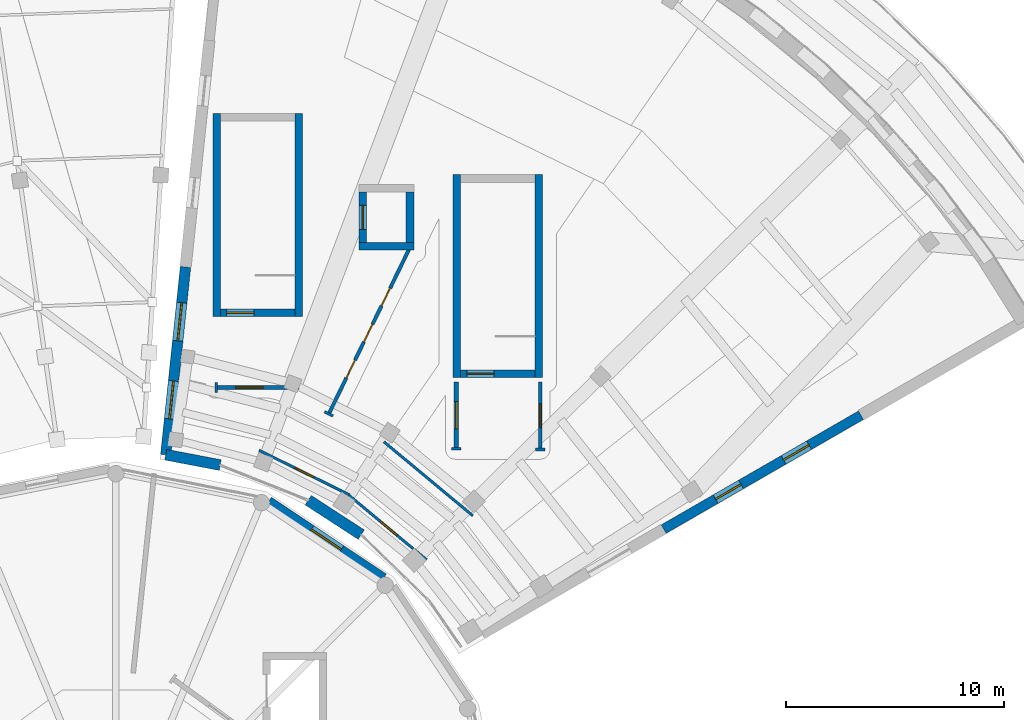
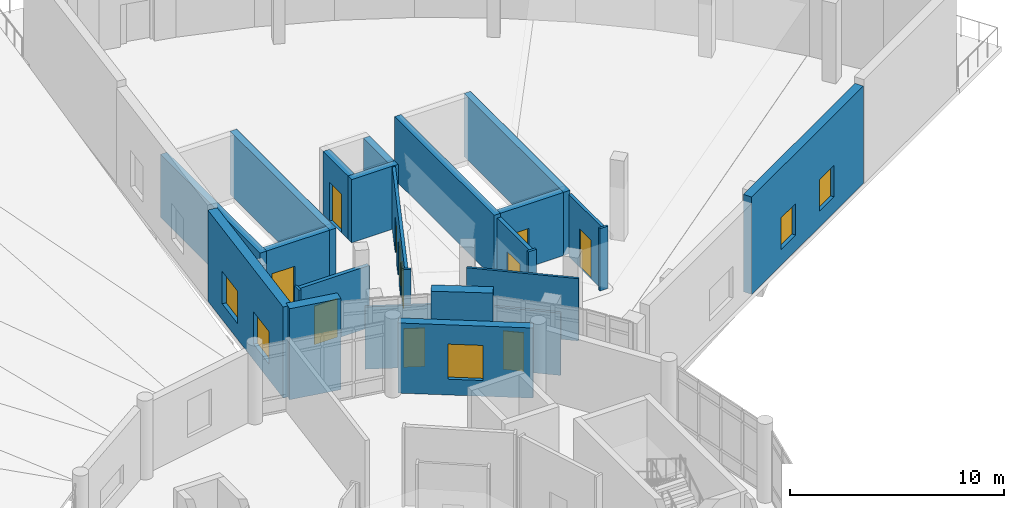
# One storey, part 23 of 27: 25 walls, 11 doors, 5 windows, 16 openings.
"""IFC4 building model written with IfcOpenShell, lengths in metres."""

from ifc_helpers import new_model, si_unit, direction, frame, frame_2d, origin, place, context, subcontext, project, spatial, rectangle, extrude, material, layer, layer_set, type_object, element, fill, save


model = new_model("IFC4")

# Units and contexts
model_context = context("Model", 3, precision=1e-05, world=origin(), true_north=direction((0.0, 1.0)))
body_context = subcontext(model_context, "Body", "Model", "MODEL_VIEW")
ifc_project = project(units=[si_unit("LENGTHUNIT", "METRE"), si_unit("AREAUNIT", "SQUARE_METRE"), si_unit("VOLUMEUNIT", "CUBIC_METRE"), si_unit("PLANEANGLEUNIT", "RADIAN"), si_unit("MASSUNIT", "GRAM", prefix="KILO")], contexts=[model_context])

# Site, building, storey
site_placement = place(None, origin())
site = spatial("IfcSite", under=ifc_project, at=site_placement, CompositionType="ELEMENT")
building_placement = place(site_placement, origin())
building = spatial("IfcBuilding", under=site, at=building_placement, Name="Soyqirgoq Riverine Aquarium", CompositionType="ELEMENT")
storey_placement = place(building_placement, frame((0.0, 0.0, 19.800048828125)))
storey = spatial("IfcBuildingStorey", under=building, at=storey_placement, Name="L05", CompositionType="ELEMENT", Elevation=19.800048828125)

# Walls
ifc_material_1 = material(Name="Concrete C40/50", Category="concrete")
ifc_layer_1 = layer(ifc_material_1, 0.35009765625)
ifc_layer_set_1 = layer_set([ifc_layer_1], Name="Concrete C40/50")
wall_type_1 = type_object("IfcWallType", Name="CoreShearWall_350_C40", PredefinedType="SHEAR", material=ifc_layer_set_1)
for number, where, z_axis, x_axis, name in (
    (1, (64.375, 81.64990234375, 0.0), (0.0, 0.0, 1.0), (0.0, 1.0, 0.0), "CORE-5A L05 Stair Core Shear Wall SIDE1"),
    (2, (60.625, 90.949951171875, 0.0), (0.0, 0.0, 1.0), (0.0, -1.0, 0.0), "CORE-5A L05 Stair Core Shear Wall SIDE2"),
):
    element("IfcWall", number, at=place(storey_placement, frame(where, z_axis=z_axis, x_axis=x_axis)), inside=storey, type_object=wall_type_1, Name=name, PredefinedType="SHEAR", context=body_context, shape_type="SweptSolid", body=[
        extrude(rectangle(XDim=9.300048828125, YDim=0.35009765625, at=frame_2d((4.64990234375, 0.0))), origin(), (0.0, 0.0, 1.0), 3.599853515625),
    ])

# Wall, opening, door
wall_1_placement = place(storey_placement, frame((60.800048828125, 81.824951171875, 0.0), z_axis=(0.0, 0.0, 1.0), x_axis=(1.0, 0.0, 0.0)))
wall_1 = element("IfcWall", 3, at=wall_1_placement, inside=storey, type_object=wall_type_1, Name="CORE-5A L05 Stair Core Shear Wall FRONT", PredefinedType="SHEAR", context=body_context, shape_type="SweptSolid", body=[
    extrude(rectangle(XDim=3.39990234375, YDim=0.35009765625, at=frame_2d((1.699951171875, 0.0))), origin(), (0.0, 0.0, 1.0), 3.599853515625),
])
opening_1_placement = place(wall_1_placement, frame((0.280029296875, 0.0, 0.0)))
opening_1 = element("IfcOpeningElement", 4, at=opening_1_placement, cuts=wall_1, Name="Opening FD-01", PredefinedType="OPENING", context=body_context, shape_type="SweptSolid", body=[
    extrude(rectangle(XDim=1.25, YDim=2.199951171875, at=frame_2d((0.625, 1.10009765625))), frame((0.0, 0.18505859375, 0.0), z_axis=(0.0, -1.0, 0.0), x_axis=(1.0, 0.0, 0.0)), (0.0, 0.0, 1.0), 0.3701171875),
])
ifc_material_2 = material(Name="Galvanised steel fire-resisting stair door", Category="steel")
door_type_1 = type_object("IfcDoorType", Name="StairFireDoor_1250x2200_EI90", OperationType="NOTDEFINED", PredefinedType="DOOR", material=ifc_material_2)
door_1_placement = place(opening_1_placement, origin())
door_1 = element("IfcDoor", 5, at=door_1_placement, inside=storey, type_object=door_type_1, Name="DR-ST-5-L05 ST-5 L05 Fire-Rated Stairwell Door", OperationType="SINGLE_SWING_RIGHT", OverallHeight=2.199951171875, OverallWidth=1.25, PredefinedType="DOOR", context=body_context, shape_type="SweptSolid", body=[
    extrude(rectangle(XDim=1.25, YDim=2.199951171875, at=frame_2d((0.625, 1.10009765625))), frame((0.0, 0.02490234375, 0.0), z_axis=(0.0, -1.0, 0.0), x_axis=(1.0, 0.0, 0.0)), (0.0, 0.0, 1.0), 0.050048828125),
])
fill(opening_1, door_1)

# Walls
wall_2_placement = place(storey_placement, frame((67.14501953125, 84.8701171875, 0.0), z_axis=(0.0, 0.0, 1.0), x_axis=(1.0, 0.0, 0.0)))
element("IfcWall", 6, at=wall_2_placement, inside=storey, type_object=wall_type_1, Name="Lift PL-5 Shaft Wall L05 1", PredefinedType="SHEAR", context=body_context, shape_type="SweptSolid", body=[
    extrude(rectangle(XDim=2.510009765625, YDim=0.35009765625, at=frame_2d((1.2548828125, 0.0))), origin(), (0.0, 0.0, 1.0), 3.599853515625),
])
wall_3_placement = place(storey_placement, frame((69.47998046875, 85.044921875, 0.0), z_axis=(0.0, 0.0, 1.0), x_axis=(0.0, 1.0, 0.0)))
element("IfcWall", 7, at=wall_3_placement, inside=storey, type_object=wall_type_1, Name="Lift PL-5 Shaft Wall L05 2", PredefinedType="SHEAR", context=body_context, shape_type="SweptSolid", body=[
    extrude(rectangle(XDim=2.31005859375, YDim=0.35009765625, at=frame_2d((1.155029296875, 0.0))), origin(), (0.0, 0.0, 1.0), 3.599853515625),
])

# Wall, opening, door
wall_4_placement = place(storey_placement, frame((67.320068359375, 87.35498046875, 0.0), z_axis=(0.0, 0.0, 1.0), x_axis=(0.0, -1.0, 0.0)))
wall_4 = element("IfcWall", 8, at=wall_4_placement, inside=storey, type_object=wall_type_1, Name="Lift PL-5 Shaft Wall L05 4", PredefinedType="SHEAR", context=body_context, shape_type="SweptSolid", body=[
    extrude(rectangle(XDim=2.31005859375, YDim=0.35009765625, at=frame_2d((1.155029296875, 0.0))), origin(), (0.0, 0.0, 1.0), 3.599853515625),
])
opening_2_placement = place(wall_4_placement, frame((0.60498046875, 0.0, 0.0)))
opening_2 = element("IfcOpeningElement", 9, at=opening_2_placement, cuts=wall_4, Name="Opening LD-01", PredefinedType="OPENING", context=body_context, shape_type="SweptSolid", body=[
    extrude(rectangle(XDim=1.10009765625, YDim=2.199951171875, at=frame_2d((0.550048828125, 1.10009765625))), frame((0.0, 0.18505859375, 0.0), z_axis=(0.0, -1.0, 0.0), x_axis=(1.0, 0.0, 0.0)), (0.0, 0.0, 1.0), 0.3701171875),
])
ifc_material_3 = material(Name="Brushed stainless steel telescopic lift landing door", Category="steel")
door_type_2 = type_object("IfcDoorType", Name="LiftLandingDoor_1100x2200", OperationType="SLIDING_TO_LEFT", PredefinedType="DOOR", material=ifc_material_3)
door_2_placement = place(opening_2_placement, origin())
door_2 = element("IfcDoor", 10, at=door_2_placement, inside=storey, type_object=door_type_2, Name="LD-PL-5-L05 Lift PL-5 L05 Sliding Landing Door", OperationType="SLIDING_TO_LEFT", OverallHeight=2.199951171875, OverallWidth=1.10009765625, PredefinedType="DOOR", context=body_context, shape_type="SweptSolid", body=[
    extrude(rectangle(XDim=1.10009765625, YDim=2.199951171875, at=frame_2d((0.550048828125, 1.10009765625))), frame((0.0, 0.02490234375, 0.0), z_axis=(0.0, -1.0, 0.0), x_axis=(1.0, 0.0, 0.0)), (0.0, 0.0, 1.0), 0.050048828125),
])
fill(opening_2, door_2)

# Walls
for number, where, z_axis, x_axis, name in (
    (11, (75.375, 78.85009765625, 0.0), (0.0, 0.0, 1.0), (0.0, 1.0, 0.0), "CORE-5B L05 Stair Core Shear Wall SIDE1"),
    (12, (71.625, 88.14990234375, 0.0), (0.0, 0.0, 1.0), (0.0, -1.0, 0.0), "CORE-5B L05 Stair Core Shear Wall SIDE2"),
):
    element("IfcWall", number, at=place(storey_placement, frame(where, z_axis=z_axis, x_axis=x_axis)), inside=storey, type_object=wall_type_1, Name=name, PredefinedType="SHEAR", context=body_context, shape_type="SweptSolid", body=[
        extrude(rectangle(XDim=9.2998046875, YDim=0.35009765625, at=frame_2d((4.64990234375, 0.0))), origin(), (0.0, 0.0, 1.0), 3.599853515625),
    ])

# Wall, opening, door
wall_5_placement = place(storey_placement, frame((71.800048828125, 79.02490234375, 0.0), z_axis=(0.0, 0.0, 1.0), x_axis=(1.0, 0.0, 0.0)))
wall_5 = element("IfcWall", 13, at=wall_5_placement, inside=storey, type_object=wall_type_1, Name="CORE-5B L05 Stair Core Shear Wall FRONT", PredefinedType="SHEAR", context=body_context, shape_type="SweptSolid", body=[
    extrude(rectangle(XDim=3.39990234375, YDim=0.35009765625, at=frame_2d((1.699951171875, 0.0))), origin(), (0.0, 0.0, 1.0), 3.599853515625),
])
opening_3_placement = place(wall_5_placement, frame((0.280029296875, 0.0, 0.0)))
opening_3 = element("IfcOpeningElement", 14, at=opening_3_placement, cuts=wall_5, Name="Opening FD-01", PredefinedType="OPENING", context=body_context, shape_type="SweptSolid", body=[
    extrude(rectangle(XDim=1.25, YDim=2.199951171875, at=frame_2d((0.625, 1.10009765625))), frame((0.0, 0.18505859375, 0.0), z_axis=(0.0, -1.0, 0.0), x_axis=(1.0, 0.0, 0.0)), (0.0, 0.0, 1.0), 0.3701171875),
])
door_3_placement = place(opening_3_placement, origin())
door_3 = element("IfcDoor", 15, at=door_3_placement, inside=storey, type_object=door_type_1, Name="DR-ST-6-L05 ST-6 L05 Fire-Rated Stairwell Door", OperationType="SINGLE_SWING_RIGHT", OverallHeight=2.199951171875, OverallWidth=1.25, PredefinedType="DOOR", context=body_context, shape_type="SweptSolid", body=[
    extrude(rectangle(XDim=1.25, YDim=2.199951171875, at=frame_2d((0.625, 1.10009765625))), frame((0.0, 0.02490234375, 0.0), z_axis=(0.0, -1.0, 0.0), x_axis=(1.0, 0.0, 0.0)), (0.0, 0.0, 1.0), 0.050048828125),
])
fill(opening_3, door_3)

ifc_material_4 = material(Name="Lightweight steel-stud gypsum partition", Category="steel")
ifc_layer_2 = layer(ifc_material_4, 0.1201171875)
ifc_layer_set_2 = layer_set([ifc_layer_2], Name="Lightweight steel-stud gypsum partition")
wall_type_2 = type_object("IfcWallType", Name="PartitionWall_120_Std", PredefinedType="PARTITIONING", material=ifc_layer_set_2)
wall_6_placement = place(storey_placement, frame((62.559326171875, 75.52294921875, 0.0), z_axis=(0.0, 0.0, 1.0), x_axis=(0.896876614616, -0.442280836296, 0.0)))
wall_6 = element("IfcWall", 16, at=wall_6_placement, inside=storey, type_object=wall_type_2, Name="V5 Gallery Circulation Corridor Partition Wall", PredefinedType="PARTITIONING", context=body_context, shape_type="SweptSolid", body=[
    extrude(rectangle(XDim=4.619140625, YDim=0.1201171875, at=frame_2d((2.3095703125, 0.0))), origin(), (0.0, 0.0, 1.0), 3.550048828125),
])
opening_4_placement = place(wall_6_placement, frame((1.8095703125, 0.0, 0.0)))
opening_4 = element("IfcOpeningElement", 17, at=opening_4_placement, cuts=wall_6, Name="Opening ID-03", PredefinedType="OPENING", context=body_context, shape_type="SweptSolid", body=[
    extrude(rectangle(XDim=1.0, YDim=2.199951171875, at=frame_2d((0.5, 1.10009765625))), frame((0.0, 0.070068359375, 0.0), z_axis=(0.0, -1.0, 0.0), x_axis=(1.0, 0.0, 0.0)), (0.0, 0.0, 1.0), 0.14013671875),
])
ifc_material_5 = material(Name="Solid-core ash veneer room door", Category="wood")
door_type_3 = type_object("IfcDoorType", Name="RoomDoor_1000x2200", OperationType="NOTDEFINED", PredefinedType="DOOR", material=ifc_material_5)
door_4_placement = place(opening_4_placement, origin())
door_4 = element("IfcDoor", 18, at=door_4_placement, inside=storey, type_object=door_type_3, Name="IDR-V5-L05-0165 Cryopreservation Biobank Suite Door", OperationType="SINGLE_SWING_LEFT", OverallHeight=2.199951171875, OverallWidth=1.0, PredefinedType="DOOR", context=body_context, shape_type="SweptSolid", body=[
    extrude(rectangle(XDim=1.0, YDim=2.199951171875, at=frame_2d((0.5, 1.10009765625))), frame((0.0, 0.02490234375, 0.0), z_axis=(0.0, -1.0, 0.0), x_axis=(1.0, 0.0, 0.0)), (0.0, 0.0, 1.0), 0.050048828125),
])
fill(opening_4, door_4)

# Wall
wall_7_placement = place(storey_placement, frame((72.357177734375, 72.5224609375, 0.0), z_axis=(0.0, 0.0, 1.0), x_axis=(-0.768847565949, 0.639432107682, 0.0)))
element("IfcWall", 19, at=wall_7_placement, inside=storey, type_object=wall_type_2, Name="V5 Gallery Circulation Corridor Partition Wall", PredefinedType="PARTITIONING", context=body_context, shape_type="SweptSolid", body=[
    extrude(rectangle(XDim=5.301025390625, YDim=0.1201171875, at=frame_2d((2.650390625, 0.0))), origin(), (0.0, 0.0, 1.0), 3.550048828125),
])

# Wall, opening, door
wall_8_placement = place(storey_placement, frame((70.231689453125, 70.50537109375, 0.0), z_axis=(0.0, 0.0, 1.0), x_axis=(-0.768814270134, 0.639472140158, 0.0)))
wall_8 = element("IfcWall", 20, at=wall_8_placement, inside=storey, type_object=wall_type_2, Name="Cryopreservation Biobank Suite Partition Wall", PredefinedType="PARTITIONING", context=body_context, shape_type="SweptSolid", body=[
    extrude(rectangle(XDim=4.620849609375, YDim=0.1201171875, at=frame_2d((2.310546875, 0.0))), origin(), (0.0, 0.0, 1.0), 3.550048828125),
])
opening_5_placement = place(wall_8_placement, frame((1.749267578125, 0.0, 0.0)))
opening_5 = element("IfcOpeningElement", 21, at=opening_5_placement, cuts=wall_8, Name="Opening ID-03", PredefinedType="OPENING", context=body_context, shape_type="SweptSolid", body=[
    extrude(rectangle(XDim=1.0, YDim=2.199951171875, at=frame_2d((0.5, 1.10009765625))), frame((0.0, 0.070068359375, 0.0), z_axis=(0.0, -1.0, 0.0), x_axis=(1.0, 0.0, 0.0)), (0.0, 0.0, 1.0), 0.14013671875),
])
door_5_placement = place(opening_5_placement, origin())
door_5 = element("IfcDoor", 22, at=door_5_placement, inside=storey, type_object=door_type_3, Name="IDR-V5-L05-0166 Cryopreservation Biobank Suite Door", OperationType="SINGLE_SWING_RIGHT", OverallHeight=2.199951171875, OverallWidth=1.0, PredefinedType="DOOR", context=body_context, shape_type="SweptSolid", body=[
    extrude(rectangle(XDim=1.0, YDim=2.199951171875, at=frame_2d((0.5, 1.10009765625))), frame((0.0, 0.02490234375, 0.0), z_axis=(0.0, -1.0, 0.0), x_axis=(1.0, 0.0, 0.0)), (0.0, 0.0, 1.0), 0.050048828125),
])
fill(opening_5, door_5)

# Walls
for number, where, z_axis, x_axis, name in (
    (23, (60.60009765625, 78.179931640625, 0.0), (0.0, 0.0, 1.0), (0.0, 1.0, 0.0), "V5 L05 Jamb Return Pier"),
    (24, (71.3798828125, 75.60009765625, 0.0), (0.0, 0.0, 1.0), (1.0, 0.0, 0.0), "V5 L05 Jamb Return Pier"),
):
    element("IfcWall", number, at=place(storey_placement, frame(where, z_axis=z_axis, x_axis=x_axis)), inside=storey, type_object=wall_type_2, Name=name, PredefinedType="PARTITIONING", context=body_context, shape_type="SweptSolid", body=[
        extrude(rectangle(XDim=0.440185546875, YDim=0.1201171875, at=frame_2d((0.22021484375, 0.0))), origin(), (0.0, 0.0, 1.0), 3.550048828125),
    ])
wall_9_placement = place(storey_placement, frame((65.955810546875, 77.093505859375, 0.0), z_axis=(0.0, 0.0, 1.0), x_axis=(-0.898715089152, 0.438532995942, 0.0)))
element("IfcWall", 25, at=wall_9_placement, inside=storey, type_object=wall_type_2, Name="V5 L05 Jamb Return Pier", PredefinedType="PARTITIONING", context=body_context, shape_type="SweptSolid", body=[
    extrude(rectangle(XDim=0.439697265625, YDim=0.1201171875, at=frame_2d((0.2197265625, 0.0))), origin(), (0.0, 0.0, 1.0), 3.550048828125),
])
wall_10_placement = place(storey_placement, frame((75.219970703125, 75.56005859375, 0.0), z_axis=(0.0, 0.0, 1.0), x_axis=(1.0, 0.0, 0.0)))
element("IfcWall", 26, at=wall_10_placement, inside=storey, type_object=wall_type_2, Name="V5 L05 Jamb Return Pier", PredefinedType="PARTITIONING", context=body_context, shape_type="SweptSolid", body=[
    extrude(rectangle(XDim=0.43994140625, YDim=0.1201171875, at=frame_2d((0.219970703125, 0.0))), origin(), (0.0, 0.0, 1.0), 3.550048828125),
])

# Wall, openings, doors
ifc_material_6 = material(Name="Fire-rated acoustic gypsum stud partition", Category="gypsum")
ifc_layer_3 = layer(ifc_material_6, 0.159912109375)
ifc_layer_set_3 = layer_set([ifc_layer_3], Name="Fire-rated acoustic gypsum stud partition")
wall_type_3 = type_object("IfcWallType", Name="PartitionWall_160_EI60", PredefinedType="PARTITIONING", material=ifc_layer_set_3)
wall_11_placement = place(storey_placement, frame((65.75830078125, 77.18994140625, 0.0), z_axis=(0.0, 0.0, 1.0), x_axis=(0.438359114889, 0.898799914549, 0.0)))
wall_11 = element("IfcWall", 27, at=wall_11_placement, inside=storey, type_object=wall_type_3, Name="Genomic Sequencing Laboratory Partition Wall", PredefinedType="PARTITIONING", context=body_context, shape_type="SweptSolid", body=[
    extrude(rectangle(XDim=8.4248046875, YDim=0.159912109375, at=frame_2d((4.21240234375, 0.0))), origin(), (0.0, 0.0, 1.0), 3.550048828125),
])
opening_6_placement = place(wall_11_placement, frame((3.67236328125, 0.0, 0.0)))
opening_6 = element("IfcOpeningElement", 28, at=opening_6_placement, cuts=wall_11, Name="Opening RD-01", PredefinedType="OPENING", context=body_context, shape_type="SweptSolid", body=[
    extrude(rectangle(XDim=0.89990234375, YDim=2.10009765625, at=frame_2d((0.449951171875, 1.050048828125))), frame((0.0, 0.08984375, 0.0), z_axis=(0.0, -1.0, 0.0), x_axis=(1.0, 0.0, 0.0)), (0.0, 0.0, 1.0), 0.179931640625),
])
opening_7_placement = place(wall_11_placement, frame((1.836181640625, 0.0, 0.0)))
opening_7 = element("IfcOpeningElement", 29, at=opening_7_placement, cuts=wall_11, Name="Opening RD-01", PredefinedType="OPENING", context=body_context, shape_type="SweptSolid", body=[
    extrude(rectangle(XDim=0.89990234375, YDim=2.10009765625, at=frame_2d((0.449951171875, 1.050048828125))), frame((0.0, 0.08984375, 0.0), z_axis=(0.0, -1.0, 0.0), x_axis=(1.0, 0.0, 0.0)), (0.0, 0.0, 1.0), 0.179931640625),
])
opening_8_placement = place(wall_11_placement, frame((5.50830078125, 0.0, 0.0)))
opening_8 = element("IfcOpeningElement", 30, at=opening_8_placement, cuts=wall_11, Name="Opening RD-01", PredefinedType="OPENING", context=body_context, shape_type="SweptSolid", body=[
    extrude(rectangle(XDim=0.89990234375, YDim=2.10009765625, at=frame_2d((0.449951171875, 1.050048828125))), frame((0.0, 0.08984375, 0.0), z_axis=(0.0, -1.0, 0.0), x_axis=(1.0, 0.0, 0.0)), (0.0, 0.0, 1.0), 0.179931640625),
])
ifc_material_7 = material(Name="Flush steel service riser fire door", Category="steel")
door_type_4 = type_object("IfcDoorType", Name="RiserAccessDoor_900x2100_EI60", OperationType="NOTDEFINED", PredefinedType="DOOR", material=ifc_material_7)
door_6_placement = place(opening_6_placement, origin())
door_6 = element("IfcDoor", 31, at=door_6_placement, inside=storey, type_object=door_type_4, Name="IDR-V5-L05-0168 Genomic Sequencing Laboratory Access Door", OperationType="SINGLE_SWING_RIGHT", OverallHeight=2.10009765625, OverallWidth=0.89990234375, PredefinedType="DOOR", context=body_context, shape_type="SweptSolid", body=[
    extrude(rectangle(XDim=0.89990234375, YDim=2.10009765625, at=frame_2d((0.449951171875, 1.050048828125))), frame((0.0, 0.02490234375, 0.0), z_axis=(0.0, -1.0, 0.0), x_axis=(1.0, 0.0, 0.0)), (0.0, 0.0, 1.0), 0.050048828125),
])
fill(opening_6, door_6)
door_7_placement = place(opening_7_placement, origin())
door_7 = element("IfcDoor", 32, at=door_7_placement, inside=storey, type_object=door_type_4, Name="IDR-V5-L05-0169 Bioinformatics Research Office Access Door", OperationType="SINGLE_SWING_LEFT", OverallHeight=2.10009765625, OverallWidth=0.89990234375, PredefinedType="DOOR", context=body_context, shape_type="SweptSolid", body=[
    extrude(rectangle(XDim=0.89990234375, YDim=2.10009765625, at=frame_2d((0.449951171875, 1.050048828125))), frame((0.0, 0.02490234375, 0.0), z_axis=(0.0, -1.0, 0.0), x_axis=(1.0, 0.0, 0.0)), (0.0, 0.0, 1.0), 0.050048828125),
])
fill(opening_7, door_7)
door_8_placement = place(opening_8_placement, origin())
door_8 = element("IfcDoor", 33, at=door_8_placement, inside=storey, type_object=door_type_4, Name="IDR-V5-L05-0170 Genomic Sequencing Laboratory Access Door", OperationType="SINGLE_SWING_RIGHT", OverallHeight=2.10009765625, OverallWidth=0.89990234375, PredefinedType="DOOR", context=body_context, shape_type="SweptSolid", body=[
    extrude(rectangle(XDim=0.89990234375, YDim=2.10009765625, at=frame_2d((0.449951171875, 1.050048828125))), frame((0.0, 0.02490234375, 0.0), z_axis=(0.0, -1.0, 0.0), x_axis=(1.0, 0.0, 0.0)), (0.0, 0.0, 1.0), 0.050048828125),
])
fill(opening_8, door_8)

# Wall, opening, door
wall_12_placement = place(storey_placement, frame((75.43994140625, 78.64990234375, 0.0), z_axis=(0.0, 0.0, 1.0), x_axis=(0.0, -1.0, 0.0)))
wall_12 = element("IfcWall", 34, at=wall_12_placement, inside=storey, type_object=wall_type_3, Name="Marine Genetics Laboratory Partition Wall", PredefinedType="PARTITIONING", context=body_context, shape_type="SweptSolid", body=[
    extrude(rectangle(XDim=3.08984375, YDim=0.159912109375, at=frame_2d((1.544921875, 0.0))), origin(), (0.0, 0.0, 1.0), 3.550048828125),
])
opening_9_placement = place(wall_12_placement, frame((0.9951171875, 0.0, 0.0)))
opening_9 = element("IfcOpeningElement", 35, at=opening_9_placement, cuts=wall_12, Name="Opening ID-04", PredefinedType="OPENING", context=body_context, shape_type="SweptSolid", body=[
    extrude(rectangle(XDim=1.10009765625, YDim=2.199951171875, at=frame_2d((0.550048828125, 1.10009765625))), frame((0.0, 0.08984375, 0.0), z_axis=(0.0, -1.0, 0.0), x_axis=(1.0, 0.0, 0.0)), (0.0, 0.0, 1.0), 0.179931640625),
])
ifc_material_8 = material(Name="Chemical-resistant HPL fire-rated laboratory door", Category="wood")
door_type_5 = type_object("IfcDoorType", Name="LabDoor_1100x2200_EI60", OperationType="NOTDEFINED", PredefinedType="DOOR", material=ifc_material_8)
door_9_placement = place(opening_9_placement, origin())
door_9 = element("IfcDoor", 36, at=door_9_placement, inside=storey, type_object=door_type_5, Name="IDR-V5-L05-0167 Marine Genetics Laboratory Door", OperationType="SINGLE_SWING_LEFT", OverallHeight=2.199951171875, OverallWidth=1.10009765625, PredefinedType="DOOR", context=body_context, shape_type="SweptSolid", body=[
    extrude(rectangle(XDim=1.10009765625, YDim=2.199951171875, at=frame_2d((0.550048828125, 1.10009765625))), frame((0.0, 0.02490234375, 0.0), z_axis=(0.0, -1.0, 0.0), x_axis=(1.0, 0.0, 0.0)), (0.0, 0.0, 1.0), 0.050048828125),
])
fill(opening_9, door_9)

ifc_material_9 = material(Name="Fire-rated calcium silicate twin-stud partition", Category="gypsum")
ifc_layer_4 = layer(ifc_material_9, 0.199951171875)
ifc_layer_set_4 = layer_set([ifc_layer_4], Name="Fire-rated calcium silicate twin-stud partition")
wall_type_4 = type_object("IfcWallType", Name="PartitionWall_200_EI90", PredefinedType="PARTITIONING", material=ifc_layer_set_4)
wall_13_placement = place(storey_placement, frame((60.60009765625, 78.39990234375, 0.0), z_axis=(0.0, 0.0, 1.0), x_axis=(1.0, 0.0, 0.0)))
wall_13 = element("IfcWall", 37, at=wall_13_placement, inside=storey, type_object=wall_type_4, Name="Lift and Stair Lobby ST-5 Fire Enclosure Wall", PredefinedType="PARTITIONING", context=body_context, shape_type="SweptSolid", body=[
    extrude(rectangle(XDim=3.7998046875, YDim=0.199951171875, at=frame_2d((1.89990234375, 0.0))), origin(), (0.0, 0.0, 1.0), 3.550048828125),
])
opening_10_placement = place(wall_13_placement, frame((0.892578125, 0.0, 0.0)))
opening_10 = element("IfcOpeningElement", 38, at=opening_10_placement, cuts=wall_13, Name="Opening FD-01", PredefinedType="OPENING", context=body_context, shape_type="SweptSolid", body=[
    extrude(rectangle(XDim=1.25, YDim=2.199951171875, at=frame_2d((0.625, 1.10009765625))), frame((0.0, 0.10986328125, 0.0), z_axis=(0.0, -1.0, 0.0), x_axis=(1.0, 0.0, 0.0)), (0.0, 0.0, 1.0), 0.219970703125),
])
door_10_placement = place(opening_10_placement, origin())
door_10 = element("IfcDoor", 39, at=door_10_placement, inside=storey, type_object=door_type_1, Name="IDR-V5-L05-0163 Lift and Stair Lobby ST-5 Egress Fire Door", OperationType="SINGLE_SWING_LEFT", OverallHeight=2.199951171875, OverallWidth=1.25, PredefinedType="DOOR", context=body_context, shape_type="SweptSolid", body=[
    extrude(rectangle(XDim=1.25, YDim=2.199951171875, at=frame_2d((0.625, 1.10009765625))), frame((0.0, 0.02490234375, 0.0), z_axis=(0.0, -1.0, 0.0), x_axis=(1.0, 0.0, 0.0)), (0.0, 0.0, 1.0), 0.050048828125),
])
fill(opening_10, door_10)

wall_14_placement = place(storey_placement, frame((71.60009765625, 78.64990234375, 0.0), z_axis=(0.0, 0.0, 1.0), x_axis=(0.0, -1.0, 0.0)))
wall_14 = element("IfcWall", 40, at=wall_14_placement, inside=storey, type_object=wall_type_4, Name="Lift and Stair Lobby ST-6 Fire Enclosure Wall", PredefinedType="PARTITIONING", context=body_context, shape_type="SweptSolid", body=[
    extrude(rectangle(XDim=3.0498046875, YDim=0.199951171875, at=frame_2d((1.52490234375, 0.0))), origin(), (0.0, 0.0, 1.0), 3.550048828125),
])
opening_11_placement = place(wall_14_placement, frame((0.89990234375, 0.0, 0.0)))
opening_11 = element("IfcOpeningElement", 41, at=opening_11_placement, cuts=wall_14, Name="Opening FD-01", PredefinedType="OPENING", context=body_context, shape_type="SweptSolid", body=[
    extrude(rectangle(XDim=1.25, YDim=2.199951171875, at=frame_2d((0.625, 1.10009765625))), frame((0.0, 0.10986328125, 0.0), z_axis=(0.0, -1.0, 0.0), x_axis=(1.0, 0.0, 0.0)), (0.0, 0.0, 1.0), 0.219970703125),
])
door_11_placement = place(opening_11_placement, origin())
door_11 = element("IfcDoor", 42, at=door_11_placement, inside=storey, type_object=door_type_1, Name="IDR-V5-L05-0164 Lift and Stair Lobby ST-6 Egress Fire Door", OperationType="SINGLE_SWING_LEFT", OverallHeight=2.199951171875, OverallWidth=1.25, PredefinedType="DOOR", context=body_context, shape_type="SweptSolid", body=[
    extrude(rectangle(XDim=1.25, YDim=2.199951171875, at=frame_2d((0.625, 1.10009765625))), frame((0.0, 0.02490234375, 0.0), z_axis=(0.0, -1.0, 0.0), x_axis=(1.0, 0.0, 0.0)), (0.0, 0.0, 1.0), 0.050048828125),
])
fill(opening_11, door_11)

# Wall, openings, windows
ifc_material_10 = material(Name="Honed travertine limestone cavity wall", Category="masonry")
ifc_layer_5 = layer(ifc_material_10, 0.449951171875)
ifc_layer_set_5 = layer_set([ifc_layer_5], Name="Honed travertine limestone cavity wall")
wall_type_5 = type_object("IfcWallType", Name="TravertineCavityWall_450", PredefinedType="SOLIDWALL", material=ifc_layer_set_5)
wall_15_placement = place(storey_placement, frame((90.14501953125, 77.12939453125, 0.0), z_axis=(0.0, 0.0, 1.0), x_axis=(-0.866021250859, -0.500007193008, 0.0)))
wall_15 = element("IfcWall", 43, at=wall_15_placement, inside=storey, type_object=wall_type_5, Name="V5 L05 Exterior Travertine Wall 0340", PredefinedType="SOLIDWALL", context=body_context, shape_type="SweptSolid", body=[
    extrude(rectangle(XDim=10.440185546875, YDim=0.449951171875, at=frame_2d((5.22021484375, 0.0))), origin(), (0.0, 0.0, 1.0), 5.5498046875),
])
opening_12_placement = place(wall_15_placement, frame((2.7451171875, 0.0, 0.89990234375)))
opening_12 = element("IfcOpeningElement", 44, at=opening_12_placement, cuts=wall_15, Name="Opening WN-08", PredefinedType="OPENING", context=body_context, shape_type="SweptSolid", body=[
    extrude(rectangle(XDim=1.35009765625, YDim=1.800048828125, at=frame_2d((0.675048828125, 0.89990234375))), frame((0.0, 0.23486328125, 0.0), z_axis=(0.0, -1.0, 0.0), x_axis=(1.0, 0.0, 0.0)), (0.0, 0.0, 1.0), 0.469970703125),
])
opening_13_placement = place(wall_15_placement, frame((6.34521484375, 0.0, 0.89990234375)))
opening_13 = element("IfcOpeningElement", 45, at=opening_13_placement, cuts=wall_15, Name="Opening WN-08", PredefinedType="OPENING", context=body_context, shape_type="SweptSolid", body=[
    extrude(rectangle(XDim=1.35009765625, YDim=1.800048828125, at=frame_2d((0.675048828125, 0.89990234375))), frame((0.0, 0.23486328125, 0.0), z_axis=(0.0, -1.0, 0.0), x_axis=(1.0, 0.0, 0.0)), (0.0, 0.0, 1.0), 0.469970703125),
])
ifc_material_11 = material(Name="Thermally broken aluminium triple low-E window", Category="aluminium")
window_type_1 = type_object("IfcWindowType", Name="Win_Office_1350x1800", PartitioningType="DOUBLE_PANEL_VERTICAL", PredefinedType="WINDOW", material=ifc_material_11)
window_1_placement = place(opening_12_placement, origin())
window_1 = element("IfcWindow", 46, at=window_1_placement, inside=storey, type_object=window_type_1, Name="V5 L05 Facade Window 0272", OverallHeight=1.800048828125, OverallWidth=1.35009765625, PartitioningType="DOUBLE_PANEL_VERTICAL", PredefinedType="WINDOW", context=body_context, shape_type="SweptSolid", body=[
    extrude(rectangle(XDim=1.35009765625, YDim=1.800048828125, at=frame_2d((0.675048828125, 0.89990234375))), frame((0.0, 0.030029296875, 0.0), z_axis=(0.0, -1.0, 0.0), x_axis=(1.0, 0.0, 0.0)), (0.0, 0.0, 1.0), 0.06005859375),
])
fill(opening_12, window_1)
window_2_placement = place(opening_13_placement, origin())
window_2 = element("IfcWindow", 47, at=window_2_placement, inside=storey, type_object=window_type_1, Name="V5 L05 Facade Window 0273", OverallHeight=1.800048828125, OverallWidth=1.35009765625, PartitioningType="DOUBLE_PANEL_VERTICAL", PredefinedType="WINDOW", context=body_context, shape_type="SweptSolid", body=[
    extrude(rectangle(XDim=1.35009765625, YDim=1.800048828125, at=frame_2d((0.675048828125, 0.89990234375))), frame((0.0, 0.030029296875, 0.0), z_axis=(0.0, -1.0, 0.0), x_axis=(1.0, 0.0, 0.0)), (0.0, 0.0, 1.0), 0.06005859375),
])
fill(opening_13, window_2)

ifc_material_12 = material(Name="Honed travertine limestone cavity wall", Category="masonry")
ifc_layer_6 = layer(ifc_material_12, 0.47998046875)
ifc_layer_set_6 = layer_set([ifc_layer_6], Name="Honed travertine limestone cavity wall")
wall_type_6 = type_object("IfcWallType", Name="TravertineCavityWall_480", PredefinedType="SOLIDWALL", material=ifc_layer_set_6)
wall_16_placement = place(storey_placement, frame((58.287353515625, 75.3173828125, 0.0), z_axis=(0.0, 0.0, 1.0), x_axis=(0.104509954637, 0.99452384053, 0.0)))
wall_16 = element("IfcWall", 48, at=wall_16_placement, inside=storey, type_object=wall_type_6, Name="V5 L05 Exterior Travertine Wall 0324", PredefinedType="SOLIDWALL", context=body_context, shape_type="SweptSolid", body=[
    extrude(rectangle(XDim=8.650390625, YDim=0.47998046875, at=frame_2d((4.3251953125, 0.0))), origin(), (0.0, 0.0, 1.0), 5.18994140625),
])
opening_14_placement = place(wall_16_placement, frame((1.650390625, 0.0, 0.89990234375)))
opening_14 = element("IfcOpeningElement", 49, at=opening_14_placement, cuts=wall_16, Name="Opening WN-19", PredefinedType="OPENING", context=body_context, shape_type="SweptSolid", body=[
    extrude(rectangle(XDim=1.75, YDim=1.85009765625, at=frame_2d((0.875, 0.925048828125))), frame((0.0, 0.25, 0.0), z_axis=(0.0, -1.0, 0.0), x_axis=(1.0, 0.0, 0.0)), (0.0, 0.0, 1.0), 0.5),
])
opening_15_placement = place(wall_16_placement, frame((5.250244140625, 0.0, 0.89990234375)))
opening_15 = element("IfcOpeningElement", 50, at=opening_15_placement, cuts=wall_16, Name="Opening WN-19", PredefinedType="OPENING", context=body_context, shape_type="SweptSolid", body=[
    extrude(rectangle(XDim=1.75, YDim=1.85009765625, at=frame_2d((0.875, 0.925048828125))), frame((0.0, 0.25, 0.0), z_axis=(0.0, -1.0, 0.0), x_axis=(1.0, 0.0, 0.0)), (0.0, 0.0, 1.0), 0.5),
])
ifc_material_13 = material(Name="Thermally broken aluminium triple low-E window", Category="aluminium")
window_type_2 = type_object("IfcWindowType", Name="Win_Office_1750x1850", PartitioningType="DOUBLE_PANEL_VERTICAL", PredefinedType="WINDOW", material=ifc_material_13)
window_3_placement = place(opening_14_placement, origin())
window_3 = element("IfcWindow", 51, at=window_3_placement, inside=storey, type_object=window_type_2, Name="V5 L05 Facade Window 0268", OverallHeight=1.85009765625, OverallWidth=1.75, PartitioningType="DOUBLE_PANEL_VERTICAL", PredefinedType="WINDOW", context=body_context, shape_type="SweptSolid", body=[
    extrude(rectangle(XDim=1.75, YDim=1.85009765625, at=frame_2d((0.875, 0.925048828125))), frame((0.0, 0.030029296875, 0.0), z_axis=(0.0, -1.0, 0.0), x_axis=(1.0, 0.0, 0.0)), (0.0, 0.0, 1.0), 0.06005859375),
])
fill(opening_14, window_3)
window_4_placement = place(opening_15_placement, origin())
window_4 = element("IfcWindow", 52, at=window_4_placement, inside=storey, type_object=window_type_2, Name="V5 L05 Facade Window 0269", OverallHeight=1.85009765625, OverallWidth=1.75, PartitioningType="DOUBLE_PANEL_VERTICAL", PredefinedType="WINDOW", context=body_context, shape_type="SweptSolid", body=[
    extrude(rectangle(XDim=1.75, YDim=1.85009765625, at=frame_2d((0.875, 0.925048828125))), frame((0.0, 0.030029296875, 0.0), z_axis=(0.0, -1.0, 0.0), x_axis=(1.0, 0.0, 0.0)), (0.0, 0.0, 1.0), 0.06005859375),
])
fill(opening_15, window_4)

# Walls
ifc_material_14 = material(Name="Honed travertine limestone cavity wall", Category="masonry")
ifc_layer_7 = layer(ifc_material_14, 0.5)
ifc_layer_set_7 = layer_set([ifc_layer_7], Name="Honed travertine limestone cavity wall")
wall_type_7 = type_object("IfcWallType", Name="TravertineCavityWall_500", PredefinedType="SOLIDWALL", material=ifc_layer_set_7)
wall_17_placement = place(storey_placement, frame((60.780517578125, 74.8408203125, 0.0), z_axis=(0.0, 0.0, 1.0), x_axis=(-0.982217132237, 0.18774851568, 0.0)))
element("IfcWall", 53, at=wall_17_placement, inside=storey, type_object=wall_type_7, Name="V5 L05 Exterior Travertine Wall 0323", PredefinedType="SOLIDWALL", context=body_context, shape_type="SweptSolid", body=[
    extrude(rectangle(XDim=2.538330078125, YDim=0.5, at=frame_2d((1.26904296875, 0.0))), origin(), (0.0, 0.0, 1.0), 5.18994140625),
])
ifc_material_15 = material(Name="Honed travertine limestone cavity wall", Category="masonry")
ifc_layer_8 = layer(ifc_material_15, 0.52001953125)
ifc_layer_set_8 = layer_set([ifc_layer_8], Name="Honed travertine limestone cavity wall")
wall_type_8 = type_object("IfcWallType", Name="TravertineCavityWall_520", PredefinedType="SOLIDWALL", material=ifc_layer_set_8)
wall_18_placement = place(storey_placement, frame((67.243896484375, 71.6533203125, 0.0), z_axis=(0.0, 0.0, 1.0), x_axis=(-0.838651405995, 0.544668540695, 0.0)))
element("IfcWall", 54, at=wall_18_placement, inside=storey, type_object=wall_type_8, Name="V5 L05 Exterior Travertine Wall 0322", PredefinedType="SOLIDWALL", context=body_context, shape_type="SweptSolid", body=[
    extrude(rectangle(XDim=2.898193359375, YDim=0.52001953125, at=frame_2d((1.44921875, 0.0))), origin(), (0.0, 0.0, 1.0), 5.18994140625),
])

# Wall, opening, window
ifc_material_16 = material(Name="Honed travertine limestone cavity wall", Category="masonry")
ifc_layer_9 = layer(ifc_material_16, 0.419921875)
ifc_layer_set_9 = layer_set([ifc_layer_9], Name="Honed travertine limestone cavity wall")
wall_type_9 = type_object("IfcWallType", Name="TravertineSpandrelWall_420", PredefinedType="SOLIDWALL", material=ifc_layer_set_9)
wall_19_placement = place(storey_placement, frame((63.015625, 73.19091796875, 0.0), z_axis=(0.0, 0.0, 1.0), x_axis=(0.83146182467, -0.555581887859, 0.0)))
wall_19 = element("IfcWall", 55, at=wall_19_placement, inside=storey, type_object=wall_type_9, Name="V1 L05 Exterior Travertine Wall 0012", PredefinedType="SOLIDWALL", context=body_context, shape_type="SweptSolid", body=[
    extrude(rectangle(XDim=6.323974609375, YDim=0.419921875, at=frame_2d((3.162109375, 0.0))), origin(), (0.0, 0.0, 1.0), 4.0),
])
opening_16_placement = place(wall_19_placement, frame((2.3369140625, 0.0, 0.89990234375)))
opening_16 = element("IfcOpeningElement", 56, at=opening_16_placement, cuts=wall_19, Name="Opening WN-13", PredefinedType="OPENING", context=body_context, shape_type="SweptSolid", body=[
    extrude(rectangle(XDim=1.64990234375, YDim=2.0, at=frame_2d((0.824951171875, 1.0))), frame((0.0, 0.219970703125, 0.0), z_axis=(0.0, -1.0, 0.0), x_axis=(1.0, 0.0, 0.0)), (0.0, 0.0, 1.0), 0.43994140625),
])
ifc_material_17 = material(Name="Thermally broken aluminium triple low-E window", Category="aluminium")
window_type_3 = type_object("IfcWindowType", Name="Win_Gallery_1650x2000", PartitioningType="DOUBLE_PANEL_VERTICAL", PredefinedType="WINDOW", material=ifc_material_17)
window_5_placement = place(opening_16_placement, origin())
window_5 = element("IfcWindow", 57, at=window_5_placement, inside=storey, type_object=window_type_3, Name="V1 L05 Facade Window 0006", OverallHeight=2.0, OverallWidth=1.64990234375, PartitioningType="DOUBLE_PANEL_VERTICAL", PredefinedType="WINDOW", context=body_context, shape_type="SweptSolid", body=[
    extrude(rectangle(XDim=1.64990234375, YDim=2.0, at=frame_2d((0.824951171875, 1.0))), frame((0.0, 0.030029296875, 0.0), z_axis=(0.0, -1.0, 0.0), x_axis=(1.0, 0.0, 0.0)), (0.0, 0.0, 1.0), 0.06005859375),
])
fill(opening_16, window_5)

save(model, "model.ifc")
